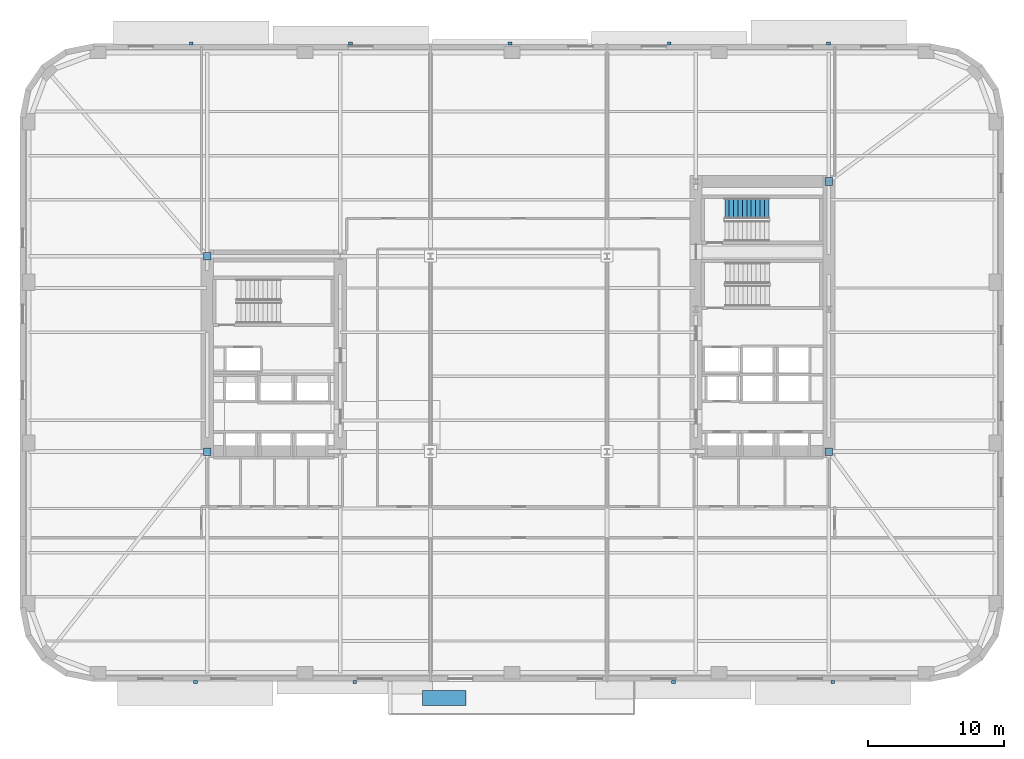
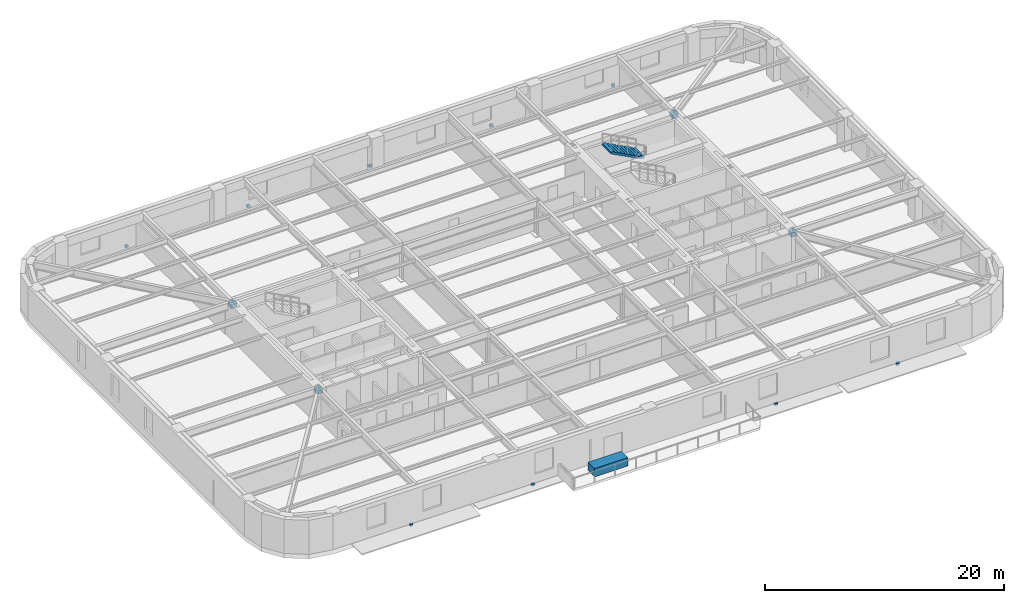
# One storey, part 8 of 15: 14 discrete accessories, 1 stair flight, 1 element without a shape of its own.
"""IFC4 building model written with IfcOpenShell, lengths in metres."""

from ifc_helpers import new_model, si_unit, direction, frame, origin, origin_2d, place, context, subcontext, project, spatial, polyline, rectangle, outline, extrude, material, type_object, element, aggregate, save


model = new_model("IFC4")

# Units and contexts
model_context = context("Model", 3, precision=1e-05, world=origin(), true_north=direction((0.0, 1.0)))
body_context = subcontext(model_context, "Body", "Model", "MODEL_VIEW")
ifc_project = project(units=[si_unit("LENGTHUNIT", "METRE"), si_unit("AREAUNIT", "SQUARE_METRE"), si_unit("VOLUMEUNIT", "CUBIC_METRE"), si_unit("PLANEANGLEUNIT", "RADIAN"), si_unit("MASSUNIT", "GRAM", prefix="KILO")], contexts=[model_context])

# Site, building, storey
site_placement = place(None, origin())
site = spatial("IfcSite", under=ifc_project, at=site_placement, CompositionType="ELEMENT")
building_placement = place(site_placement, origin())
building = spatial("IfcBuilding", under=site, at=building_placement, Name="Kolvaren Arena Tower", CompositionType="ELEMENT")
storey_placement = place(building_placement, frame((0.0, 0.0, 42.0)))
storey = spatial("IfcBuildingStorey", under=building, at=storey_placement, Name="L07", CompositionType="ELEMENT", Elevation=42.0)

# Stair, stair flight
ifc_material_1 = material(Name="Concrete 45 MPa", Category="concrete")
stair_type = type_object("IfcStairType", Name="STAIR-CORE-150", PredefinedType="HALF_TURN_STAIR", material=ifc_material_1)
stair_placement = place(storey_placement, origin())
stair = element("IfcStair", 1, at=stair_placement, inside=storey, type_object=stair_type, Name="L07 ST-E2", PredefinedType="HALF_TURN_STAIR")
stair_flight_type = type_object("IfcStairFlightType", Name="FLT-150", PredefinedType="STRAIGHT", material=ifc_material_1)
stair_flight_placement = place(storey_placement, frame((55.919921875, 37.35009765625, 1.875), z_axis=(0.0, 0.0, 1.0), x_axis=(-1.0, 0.0, 0.0)))
stair_flight = element("IfcStairFlight", 2, at=stair_flight_placement, type_object=stair_flight_type, Name="ST-E2 flight 2", NumberOfRisers=11, NumberOfTreads=10, PredefinedType="STRAIGHT", RiserHeight=0.170454545, TreadLength=0.324, context=body_context, shape_type="SweptSolid", body=[
    extrude(outline(polyline([(0.0, 0.0), (0.0, 0.17041015625), (0.323974609375, 0.17041015625), (0.323974609375, 0.3408203125), (0.64794921875, 0.3408203125), (0.64794921875, 0.511474609375), (0.971923828125, 0.511474609375), (0.971923828125, 0.681884765625), (1.2958984375, 0.681884765625), (1.2958984375, 0.852294921875), (1.6201171875, 0.852294921875), (1.6201171875, 1.022705078125), (1.944091796875, 1.022705078125), (1.944091796875, 1.193115234375), (2.26806640625, 1.193115234375), (2.26806640625, 1.363525390625), (2.592041015625, 1.363525390625), (2.592041015625, 1.5341796875), (2.916015625, 1.5341796875), (2.916015625, 1.70458984375), (3.239990234375, 1.70458984375), (3.239990234375, 1.875), (3.239990234375, 1.53515625), (0.322021484375, 0.0), (0.0, 0.0)])), frame((0.0, 0.75, 0.0), z_axis=(0.0, -1.0, 0.0), x_axis=(1.0, 0.0, 0.0)), (0.0, 0.0, 1.0), 1.5),
])
aggregate(stair, [stair_flight])

# Discrete accessories
ifc_material_2 = material(Name="Stainless steel facade support bracket", Category="steel")
discrete_accessory_type_1 = type_object("IfcDiscreteAccessoryType", Name="ACC-BRKT-1", PredefinedType="BRACKET", material=ifc_material_2)
for number, where, z_axis, x_axis, name in (
    (3, (13.3701171875, 49.52001953125, -0.18017578125), (0.0, 0.0, 1.0), (1.0, 0.0, 0.0), "Sunshade Support Bracket (L07)"),
    (4, (25.110107421875, 49.52001953125, -0.18017578125), (0.0, 0.0, 1.0), (1.0, 0.0, 0.0), "Sunshade Support Bracket (L07)"),
    (5, (36.85009765625, 49.52001953125, -0.18017578125), (0.0, 0.0, 1.0), (1.0, 0.0, 0.0), "Sunshade Support Bracket (L07)"),
    (6, (48.590087890625, 49.52001953125, -0.18017578125), (0.0, 0.0, 1.0), (1.0, 0.0, 0.0), "Sunshade Support Bracket (L07)"),
    (7, (60.330078125, 49.52001953125, -0.18017578125), (0.0, 0.0, 1.0), (1.0, 0.0, 0.0), "Sunshade Support Bracket (L07)"),
    (8, (60.6298828125, 2.47998046875, -0.18017578125), (0.0, 0.0, 1.0), (-1.0, 0.0, 0.0), "Sunshade Support Bracket (L07)"),
    (9, (48.889892578125, 2.47998046875, -0.18017578125), (0.0, 0.0, 1.0), (-1.0, 0.0, 0.0), "Sunshade Support Bracket (L07)"),
    (10, (25.409912109375, 2.47998046875, -0.18017578125), (0.0, 0.0, 1.0), (-1.0, 0.0, 0.0), "Sunshade Support Bracket (L07)"),
    (11, (13.669921875, 2.47998046875, -0.18017578125), (0.0, 0.0, 1.0), (-1.0, 0.0, 0.0), "Sunshade Support Bracket (L07)"),
):
    element("IfcDiscreteAccessory", number, at=place(storey_placement, frame(where, z_axis=z_axis, x_axis=x_axis)), inside=storey, type_object=discrete_accessory_type_1, Name=name, PredefinedType="BRACKET", context=body_context, shape_type="SweptSolid", body=[
        extrude(rectangle(XDim=0.280029296875, YDim=0.239990234375, at=origin_2d()), origin(), (0.0, 0.0, 1.0), 0.239990234375),
    ])
ifc_material_3 = material(Name="Steel CSA G40.21 350W bolted gusset connection", Category="steel")
discrete_accessory_type_2 = type_object("IfcDiscreteAccessoryType", Name="ACC-CONN-1", PredefinedType="BRACKET", material=ifc_material_3)
for number, where, z_axis, x_axis, name in (
    (12, (60.35009765625, 19.449951171875, 2.87353515625), (0.0, 0.0, 1.0), (1.0, 0.0, 0.0), "Core Wall Cast-In Embed Plate EP1 (L07)"),
    (13, (60.35009765625, 39.35009765625, 2.87353515625), (0.0, 0.0, 1.0), (1.0, 0.0, 0.0), "Core Wall Cast-In Embed Plate EP1 (L07)"),
    (14, (14.550048828125, 33.85009765625, 2.87353515625), (0.0, 0.0, 1.0), (1.0, 0.0, 0.0), "Core Wall Cast-In Embed Plate EP1 (L07)"),
    (15, (14.550048828125, 19.449951171875, 2.87353515625), (0.0, 0.0, 1.0), (1.0, 0.0, 0.0), "Core Wall Cast-In Embed Plate EP1 (L07)"),
):
    element("IfcDiscreteAccessory", number, at=place(storey_placement, frame(where, z_axis=z_axis, x_axis=x_axis)), inside=storey, type_object=discrete_accessory_type_2, Name=name, PredefinedType="BRACKET", context=body_context, shape_type="SweptSolid", body=[
        extrude(rectangle(XDim=0.56005859375, YDim=0.56005859375, at=origin_2d()), origin(), (0.0, 0.0, 1.0), 0.43994140625),
    ])
ifc_material_4 = material(Name="Precast concrete C45/55 structural planter with planting soil", Category="concrete")
discrete_accessory_type_3 = type_object("IfcDiscreteAccessoryType", Name="ACC-PLNT-1", PredefinedType="USERDEFINED", material=ifc_material_4)
discrete_accessory_placement = place(storey_placement, frame((32.0, 1.300048828125, 0.0), z_axis=(0.0, 0.0, 1.0), x_axis=(1.0, 0.0, 0.0)))
element("IfcDiscreteAccessory", 16, at=discrete_accessory_placement, inside=storey, type_object=discrete_accessory_type_3, Name="Planted Terrace Soil Planter (L07)", ObjectType="PLANTER", PredefinedType="USERDEFINED", context=body_context, shape_type="SweptSolid", body=[
    extrude(rectangle(XDim=3.199951171875, YDim=1.10009765625, at=origin_2d()), origin(), (0.0, 0.0, 1.0), 0.85009765625),
])

save(model, "model.ifc")
